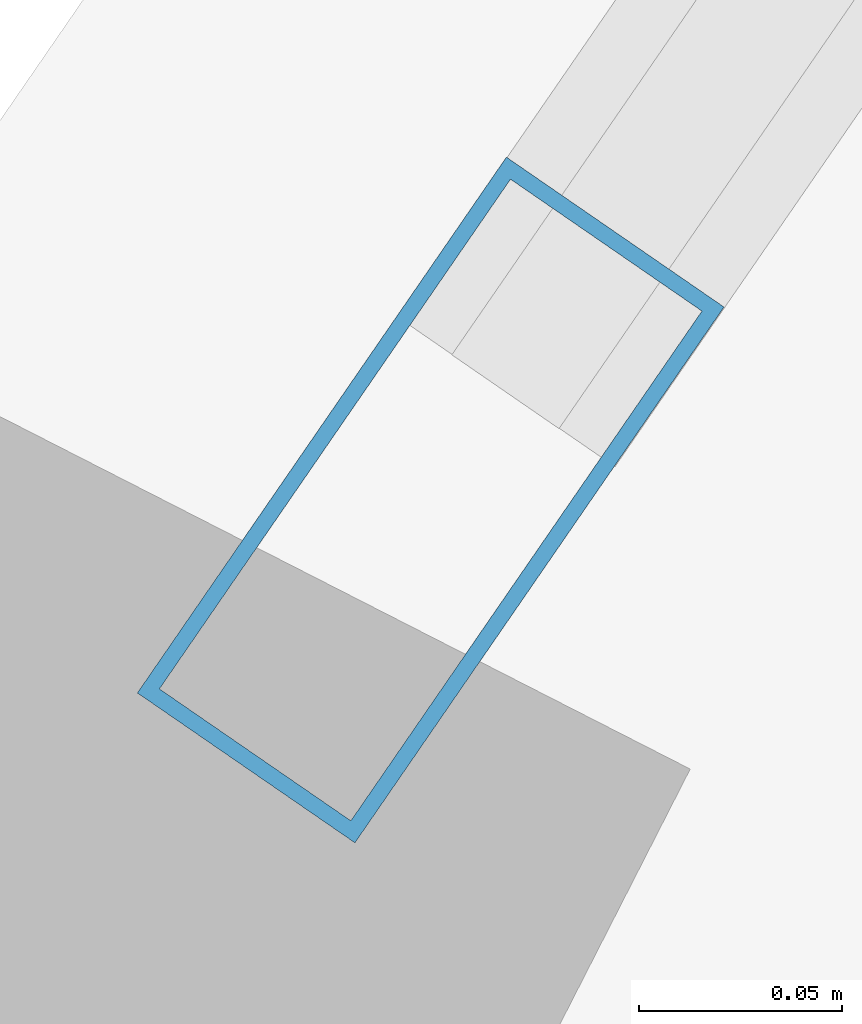
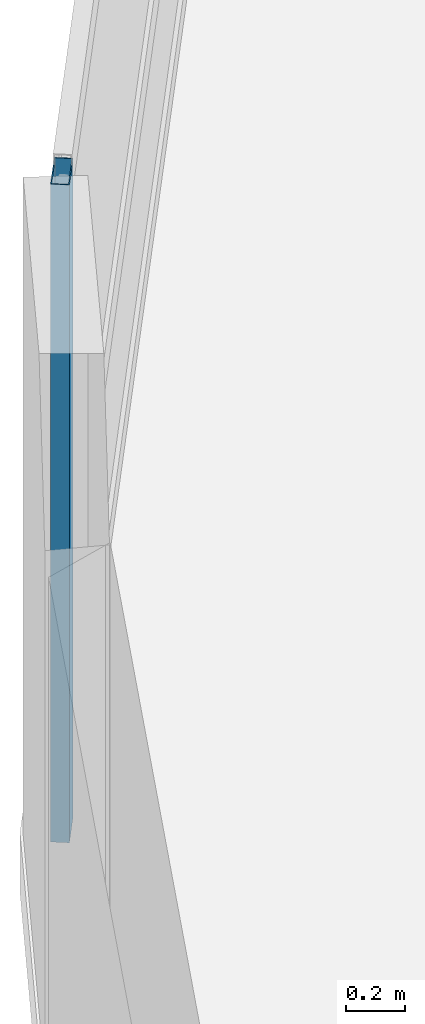
# One storey, part 2 of 25: 1 member, 1 element without a shape of its own.
"""IFC4 building model written with IfcOpenShell, lengths in metres."""

from ifc_helpers import new_model, si_unit, direction, frame, origin, origin_2d, place, context, subcontext, project, spatial, hollow_rectangle, extrude, material, layer, layer_set, material_profile, profile_set, type_object, element, aggregate, save


model = new_model("IFC4")

# Units and contexts
model_context = context("Model", 3, precision=1e-05, world=origin(), true_north=direction((0.0, 1.0)))
body_context = subcontext(model_context, "Body", "Model", "MODEL_VIEW")
ifc_project = project(units=[si_unit("LENGTHUNIT", "METRE"), si_unit("AREAUNIT", "SQUARE_METRE"), si_unit("VOLUMEUNIT", "CUBIC_METRE"), si_unit("PLANEANGLEUNIT", "RADIAN"), si_unit("MASSUNIT", "GRAM", prefix="KILO")], contexts=[model_context])

# Site, building, storey
site_placement = place(None, origin())
site = spatial("IfcSite", under=ifc_project, at=site_placement, CompositionType="ELEMENT")
building_placement = place(site_placement, origin())
building = spatial("IfcBuilding", under=site, at=building_placement, Name="Varnelok Gate Tower", CompositionType="ELEMENT")
storey_placement = place(building_placement, frame((0.0, 0.0, 52.89990234375)))
storey = spatial("IfcBuildingStorey", under=building, at=storey_placement, Name="L12", CompositionType="ELEMENT", Elevation=52.89990234375)

# Curtain wall, member
ifc_material = material(Name="Anodized Aluminum Alloy 6063-T6", Category="aluminium")
ifc_layer = layer(ifc_material, 0.179931640625)
ifc_layer_set = layer_set([ifc_layer], Name="Anodized Aluminum Alloy 6063-T6")
curtain_wall_type = type_object("IfcCurtainWallType", Name="CW3-HOTEL-VISION", PredefinedType="USERDEFINED", material=ifc_layer_set)
curtain_wall_placement = place(storey_placement, origin())
curtain_wall = element("IfcCurtainWall", 1, at=curtain_wall_placement, inside=storey, type_object=curtain_wall_type, Name="L12 West End Vision Curtain Wall", ObjectType="UNITISED CURTAIN WALL", PredefinedType="USERDEFINED")
ifc_material_profile = material_profile(ifc_material, hollow_rectangle(XDim=0.06494140625, YDim=0.159912109375, WallThickness=0.00390625, at=origin_2d()), Name="ALU160X65X4")
ifc_profile_set = profile_set([ifc_material_profile], Name="Anodized Aluminum Alloy 6063-T6")
member_type = type_object("IfcMemberType", Name="CW-MULL-160", PredefinedType="MULLION", material=ifc_profile_set)
member_placement = place(storey_placement, frame((-4.1240234375, 31.2607421875, 0.0), z_axis=(0.0, 0.0, 1.0), x_axis=(-0.823532685111, 0.567268822124, 0.0)))
member = element("IfcMember", 2, at=member_placement, type_object=member_type, Name="CW3 mullion 1", PredefinedType="MULLION", context=body_context, shape_type="SweptSolid", body=[
    extrude(hollow_rectangle(XDim=0.06494140625, YDim=0.159912109375, WallThickness=0.00390625, at=origin_2d()), origin(), (0.0, 0.0, 1.0), 2.72998046875),
])
aggregate(curtain_wall, [member])

save(model, "model.ifc")
